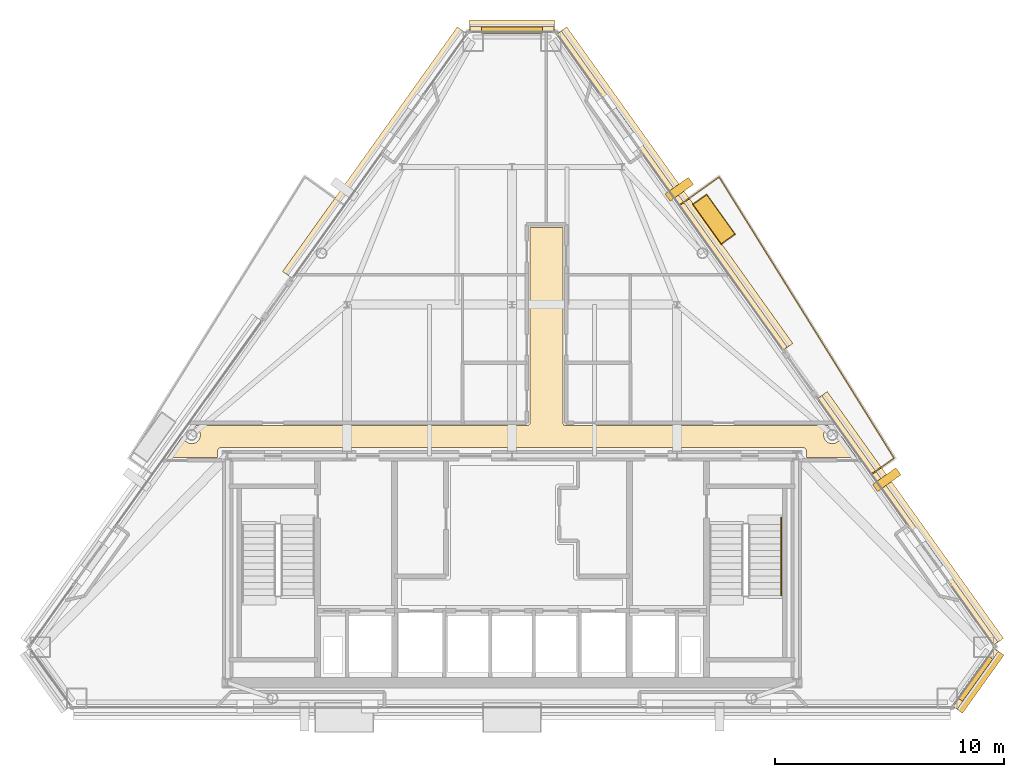
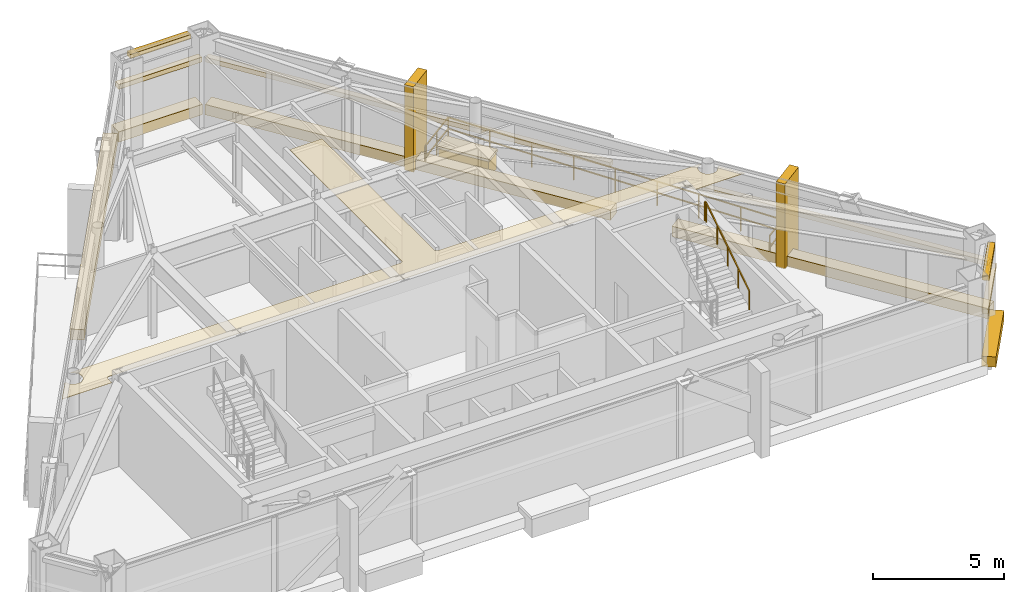
# One storey, part 12 of 12: 14 coverings, 2 railings, 2 shading devices.
"""IFC4 building model written with IfcOpenShell, lengths in metres."""

from ifc_helpers import new_model, si_unit, direction, frame, origin, origin_2d, place, context, subcontext, project, spatial, polyline, rectangle, outline, extrude, source, transform, mapped, material, layer, layer_set, type_object, type_shapes, element, save


model = new_model("IFC4")

# Units and contexts
model_context = context("Model", 3, precision=1e-05, world=origin(), true_north=direction((0.0, 1.0)))
body_context = subcontext(model_context, "Body", "Model", "MODEL_VIEW")
ifc_project = project(units=[si_unit("LENGTHUNIT", "METRE"), si_unit("AREAUNIT", "SQUARE_METRE"), si_unit("VOLUMEUNIT", "CUBIC_METRE"), si_unit("PLANEANGLEUNIT", "RADIAN"), si_unit("MASSUNIT", "GRAM", prefix="KILO")], contexts=[model_context])

# Site, building, storey
site_placement = place(None, origin())
site = spatial("IfcSite", under=ifc_project, at=site_placement, CompositionType="ELEMENT")
building_placement = place(site_placement, origin())
building = spatial("IfcBuilding", under=site, at=building_placement, Name="Talgorran Terracotta Tower", CompositionType="ELEMENT")
storey_placement = place(building_placement, frame((0.0, 0.0, 285.0)))
storey = spatial("IfcBuildingStorey", under=building, at=storey_placement, Name="L75", CompositionType="ELEMENT", Elevation=285.0)

# Coverings
ifc_material_1 = material(Name="Kiln-Fired Terracotta Ochre Ceramic", Category="masonry")
ifc_layer_1 = layer(ifc_material_1, 0.179931640625, Name="COV_BAGUETTE_TERRACOTTA_SCREEN")
ifc_layer_set_1 = layer_set([ifc_layer_1], Name="Kiln-Fired Terracotta Ochre Ceramic")
covering_type_1 = type_object("IfcCoveringType", Name="COV_BAGUETTE_TERRACOTTA_SCREEN", PredefinedType="CLADDING", material=ifc_layer_set_1)
covering_1_placement = place(storey_placement, frame((20.2119140625, -13.916748046875, 2.41015625), z_axis=(0.0, 0.0, 1.0), x_axis=(0.581256971997, 0.813720057824, 0.0)))
element("IfcCovering", 1, at=covering_1_placement, inside=storey, type_object=covering_type_1, Name="L75 Terracotta Baguette Solar Screen Assembly F2", PredefinedType="CLADDING", context=body_context, shape_type="SweptSolid", body=[
    extrude(rectangle(XDim=3.093994140625, YDim=0.260009765625, at=origin_2d()), origin(), (0.0, 0.0, 1.0), 0.219970703125),
])
covering_2_placement = place(storey_placement, frame((17.24951171875, -7.02197265625, 2.41015625), z_axis=(0.0, 0.0, 1.0), x_axis=(-0.581242769814, 0.813730202548, 0.0)))
element("IfcCovering", 2, at=covering_2_placement, inside=storey, type_object=covering_type_1, Name="L75 Terracotta Baguette Solar Screen Assembly F40", PredefinedType="CLADDING", context=body_context, shape_type="SweptSolid", body=[
    extrude(rectangle(XDim=13.206298828125, YDim=0.260009765625, at=origin_2d()), origin(), (0.0, 0.0, 1.0), 0.219970703125),
])
covering_3_placement = place(storey_placement, frame((6.974609375, 7.362548828125, 2.41015625), z_axis=(0.0, 0.0, 1.0), x_axis=(-0.581242769814, 0.813730202548, 0.0)))
element("IfcCovering", 3, at=covering_3_placement, inside=storey, type_object=covering_type_1, Name="L75 Terracotta Baguette Solar Screen Assembly F41", PredefinedType="CLADDING", context=body_context, shape_type="SweptSolid", body=[
    extrude(rectangle(XDim=16.948486328125, YDim=0.260009765625, at=origin_2d()), origin(), (0.0, 0.0, 1.0), 0.219970703125),
])
covering_4_placement = place(storey_placement, frame((0.0, 14.389404296875, 2.41015625), z_axis=(0.0, 0.0, 1.0), x_axis=(-1.0, 0.0, 0.0)))
element("IfcCovering", 4, at=covering_4_placement, inside=storey, type_object=covering_type_1, Name="L75 Terracotta Baguette Solar Screen Assembly F4", PredefinedType="CLADDING", context=body_context, shape_type="SweptSolid", body=[
    extrude(rectangle(XDim=3.66748046875, YDim=0.260009765625, at=origin_2d()), origin(), (0.0, 0.0, 1.0), 0.219970703125),
])
ifc_material_2 = material(Name="Mineral Fibre Acoustic Tile")
ifc_layer_2 = layer(ifc_material_2, 0.02490234375, Name="COV_CEIL_ACOUSTIC")
ifc_layer_set_2 = layer_set([ifc_layer_2], Name="Mineral Fibre Acoustic Tile")
covering_type_2 = type_object("IfcCoveringType", Name="COV_CEIL_ACOUSTIC", PredefinedType="CEILING", material=ifc_layer_set_2)
covering_5_placement = place(storey_placement, frame((0.0, 0.0, 3.830078125)))
element("IfcCovering", 5, at=covering_5_placement, inside=storey, type_object=covering_type_2, Name="CEIL-L75-2", PredefinedType="CEILING", context=body_context, shape_type="SweptSolid", body=[
    extrude(outline(polyline([(-15.0283203125, -4.264892578125), (-14.383544921875, -3.362060546875), (-14.32958984375, -3.400390625), (-14.326904296875, -3.413818359375), (-14.32421875, -3.42529296875), (-14.3203125, -3.436279296875), (-14.315185546875, -3.447021484375), (-14.30908203125, -3.45703125), (-14.253173828125, -3.541015625), (-14.24609375, -3.55029296875), (-14.23828125, -3.55908203125), (-14.2294921875, -3.567138671875), (-14.219970703125, -3.57421875), (-14.135986328125, -3.630126953125), (-14.1259765625, -3.635986328125), (-14.115234375, -3.64111328125), (-14.104248046875, -3.64501953125), (-14.0927734375, -3.64794921875), (-13.993896484375, -3.667724609375), (-13.982421875, -3.66943359375), (-13.970458984375, -3.669921875), (-13.958740234375, -3.66943359375), (-13.947021484375, -3.667724609375), (-13.84814453125, -3.64794921875), (-13.8369140625, -3.64501953125), (-13.82568359375, -3.64111328125), (-13.815185546875, -3.635986328125), (-13.804931640625, -3.630126953125), (-13.72119140625, -3.57421875), (-13.711669921875, -3.567138671875), (-13.702880859375, -3.55908203125), (-13.69482421875, -3.55029296875), (-13.68798828125, -3.541015625), (-13.6318359375, -3.45703125), (-13.6259765625, -3.447021484375), (-13.620849609375, -3.436279296875), (-13.616943359375, -3.42529296875), (-13.614013671875, -3.413818359375), (-13.59423828125, -3.31494140625), (-13.592529296875, -3.30322265625), (-13.592041015625, -3.29150390625), (-13.592529296875, -3.27978515625), (-13.59423828125, -3.26806640625), (-13.614013671875, -3.169189453125), (-13.616943359375, -3.15771484375), (-13.620849609375, -3.146728515625), (-13.621337890625, -3.1455078125), (-13.62060546875, -3.13671875), (-13.620849609375, -3.125), (-13.622314453125, -3.11328125), (-13.624755859375, -3.101806640625), (-13.62841796875, -3.090576171875), (-13.633056640625, -3.079833984375), (-13.638916015625, -3.069580078125), (-13.6455078125, -3.059814453125), (-13.6533203125, -3.05078125), (-13.66162109375, -3.042724609375), (-13.6708984375, -3.035400390625), (-13.881591796875, -2.885009765625), (0.65283203125, -2.884765625), (0.66455078125, -2.884033203125), (0.67626953125, -2.88232421875), (0.6875, -2.879638671875), (0.69873046875, -2.87548828125), (0.709228515625, -2.87060546875), (0.717041015625, -2.866455078125), (0.727294921875, -2.8603515625), (0.73681640625, -2.853515625), (0.74560546875, -2.845458984375), (0.75341796875, -2.836669921875), (0.760498046875, -2.8271484375), (0.7666015625, -2.81689453125), (0.7705078125, -2.809326171875), (0.775634765625, -2.798583984375), (0.779541015625, -2.78759765625), (0.782470703125, -2.776123046875), (0.7841796875, -2.7646484375), (0.78466796875, -2.7529296875), (0.784912109375, 5.764892578125), (2.215087890625, 5.764892578125), (2.215087890625, -2.75), (2.215576171875, -2.76171875), (2.21728515625, -2.773193359375), (2.22021484375, -2.78466796875), (2.22265625, -2.79296875), (2.2265625, -2.803955078125), (2.231689453125, -2.814697265625), (2.237548828125, -2.82470703125), (2.24462890625, -2.834228515625), (2.25244140625, -2.843017578125), (2.26123046875, -2.850830078125), (2.26806640625, -2.8564453125), (2.277587890625, -2.863525390625), (2.28759765625, -2.86962890625), (2.29833984375, -2.874755859375), (2.309326171875, -2.878662109375), (2.32080078125, -2.881591796875), (2.33251953125, -2.88330078125), (2.34423828125, -2.8837890625), (13.881591796875, -2.885009765625), (13.6708984375, -3.035400390625), (13.66162109375, -3.042724609375), (13.6533203125, -3.05078125), (13.6455078125, -3.059814453125), (13.638916015625, -3.069580078125), (13.633056640625, -3.079833984375), (13.62841796875, -3.090576171875), (13.624755859375, -3.101806640625), (13.622314453125, -3.11328125), (13.620849609375, -3.125), (13.62060546875, -3.13671875), (13.621337890625, -3.1455078125), (13.620849609375, -3.146728515625), (13.616943359375, -3.15771484375), (13.614013671875, -3.169189453125), (13.59423828125, -3.26806640625), (13.592529296875, -3.27978515625), (13.592041015625, -3.29150390625), (13.592529296875, -3.30322265625), (13.59423828125, -3.31494140625), (13.614013671875, -3.413818359375), (13.616943359375, -3.42529296875), (13.620849609375, -3.436279296875), (13.6259765625, -3.447021484375), (13.6318359375, -3.45703125), (13.68798828125, -3.541015625), (13.69482421875, -3.55029296875), (13.702880859375, -3.55908203125), (13.711669921875, -3.567138671875), (13.72119140625, -3.57421875), (13.804931640625, -3.630126953125), (13.815185546875, -3.635986328125), (13.82568359375, -3.64111328125), (13.8369140625, -3.64501953125), (13.84814453125, -3.64794921875), (13.947021484375, -3.667724609375), (13.958740234375, -3.66943359375), (13.970458984375, -3.669921875), (13.982421875, -3.66943359375), (13.993896484375, -3.667724609375), (14.0927734375, -3.64794921875), (14.104248046875, -3.64501953125), (14.115234375, -3.64111328125), (14.1259765625, -3.635986328125), (14.135986328125, -3.630126953125), (14.219970703125, -3.57421875), (14.2294921875, -3.567138671875), (14.23828125, -3.55908203125), (14.24609375, -3.55029296875), (14.253173828125, -3.541015625), (14.30908203125, -3.45703125), (14.315185546875, -3.447021484375), (14.3203125, -3.436279296875), (14.32421875, -3.42529296875), (14.326904296875, -3.413818359375), (14.32958984375, -3.400390625), (14.383544921875, -3.362060546875), (15.0283203125, -4.264892578125), (12.8349609375, -4.264892578125), (12.8349609375, -3.97998046875), (12.83447265625, -3.96826171875), (12.832763671875, -3.956787109375), (12.829833984375, -3.9453125), (12.827392578125, -3.93701171875), (12.823486328125, -3.926025390625), (12.818359375, -3.915283203125), (12.8125, -3.9052734375), (12.805419921875, -3.895751953125), (12.797607421875, -3.886962890625), (12.788818359375, -3.879150390625), (12.781982421875, -3.87353515625), (12.7724609375, -3.866455078125), (12.762451171875, -3.8603515625), (12.751708984375, -3.855224609375), (12.740478515625, -3.851318359375), (12.729248046875, -3.848388671875), (12.717529296875, -3.8466796875), (12.705810546875, -3.84619140625), (7.432861328125, -3.844970703125), (6.968017578125, -3.843017578125), (6.967529296875, -3.843017578125), (0.232666015625, -3.844970703125), (-0.23193359375, -3.843017578125), (-0.232421875, -3.843017578125), (-6.96728515625, -3.844970703125), (-7.431884765625, -3.843017578125), (-7.4326171875, -3.843017578125), (-12.699951171875, -3.844970703125), (-12.711669921875, -3.845703125), (-12.723388671875, -3.847412109375), (-12.734619140625, -3.85009765625), (-12.742919921875, -3.8525390625), (-12.75390625, -3.8564453125), (-12.7646484375, -3.861572265625), (-12.77490234375, -3.86767578125), (-12.7841796875, -3.87451171875), (-12.79296875, -3.882568359375), (-12.80078125, -3.89111328125), (-12.806396484375, -3.89794921875), (-12.813720703125, -3.907470703125), (-12.819580078125, -3.91748046875), (-12.82470703125, -3.927978515625), (-12.82861328125, -3.939208984375), (-12.83154296875, -3.95068359375), (-12.833251953125, -3.962158203125), (-12.833984375, -3.97412109375), (-12.834716796875, -4.264892578125), (-15.0283203125, -4.264892578125)])), origin(), (0.0, 0.0, 1.0), 0.02001953125),
])
ifc_material_3 = material(Name="Honed Limestone and Terracotta Planter", Category="masonry")
ifc_layer_3 = layer(ifc_material_3, 0.1201171875, Name="COV_PLANTER_BOX")
ifc_layer_set_3 = layer_set([ifc_layer_3], Name="Honed Limestone and Terracotta Planter")
covering_type_3 = type_object("IfcCoveringType", Name="COV_PLANTER_BOX", PredefinedType="CLADDING", material=ifc_layer_set_3)
covering_6_placement = place(storey_placement, frame((8.80908203125, 6.118896484375, -0.02001953125), z_axis=(0.0, 0.0, 1.0), x_axis=(-0.581256971997, 0.813720057824, 0.0)))
element("IfcCovering", 6, at=covering_6_placement, inside=storey, type_object=covering_type_3, Name="L75 Staggered Balcony Planter Box BAL-NE", PredefinedType="CLADDING", context=body_context, shape_type="SweptSolid", body=[
    extrude(rectangle(XDim=2.10009765625, YDim=0.719970703125, at=origin_2d()), origin(), (0.0, 0.0, 1.0), 0.860107421875),
])
ifc_material_4 = material(Name="Kiln-Fired Terracotta Planter Rim", Category="masonry")
ifc_layer_4 = layer(ifc_material_4, 0.10009765625, Name="COV_PLANTER_RIM")
ifc_layer_set_4 = layer_set([ifc_layer_4], Name="Kiln-Fired Terracotta Planter Rim")
covering_type_4 = type_object("IfcCoveringType", Name="COV_PLANTER_RIM", PredefinedType="CLADDING", material=ifc_layer_set_4)
covering_7_placement = place(storey_placement, frame((8.80908203125, 6.118896484375, 0.800048828125), z_axis=(0.0, 0.0, 1.0), x_axis=(-0.581256971997, 0.813720057824, 0.0)))
element("IfcCovering", 7, at=covering_7_placement, inside=storey, type_object=covering_type_4, Name="L75 Balcony Planter Terracotta Rim BAL-NE", PredefinedType="CLADDING", context=body_context, shape_type="SweptSolid", body=[
    extrude(rectangle(XDim=2.179931640625, YDim=0.780029296875, at=origin_2d()), origin(), (0.0, 0.0, 1.0), 0.1201171875),
])
ifc_material_5 = material(Name="Honed Limestone Cladding", Category="masonry")
ifc_layer_5 = layer(ifc_material_5, 0.094970703125, Name="COV_PORTAL_LIME")
ifc_layer_set_5 = layer_set([ifc_layer_5], Name="Honed Limestone Cladding")
covering_type_5 = type_object("IfcCoveringType", Name="COV_PORTAL_LIME", PredefinedType="CLADDING", material=ifc_layer_set_5)
covering_8_placement = place(storey_placement, frame((16.34375, -5.23779296875, -0.0498046875), z_axis=(0.0, 0.0, 1.0), x_axis=(-0.581256971997, 0.813720057824, 0.0)))
element("IfcCovering", 8, at=covering_8_placement, inside=storey, type_object=covering_type_5, Name="L75 White Striped Portal Fin F3-1", PredefinedType="CLADDING", context=body_context, shape_type="SweptSolid", body=[
    extrude(rectangle(XDim=0.3798828125, YDim=1.25, at=origin_2d()), origin(), (0.0, 0.0, 1.0), 3.969970703125),
])
ifc_material_6 = material(Name="Kiln-Fired Terracotta Cladding", Category="masonry")
ifc_layer_6 = layer(ifc_material_6, 0.090087890625, Name="COV_PORTAL_TERRA")
ifc_layer_set_6 = layer_set([ifc_layer_6], Name="Kiln-Fired Terracotta Cladding")
covering_type_6 = type_object("IfcCoveringType", Name="COV_PORTAL_TERRA", PredefinedType="CLADDING", material=ifc_layer_set_6)
covering_9_placement = place(storey_placement, frame((20.32568359375, -13.998046875, -0.0400390625), z_axis=(0.0, 0.0, 1.0), x_axis=(0.581256971997, 0.813720057824, 0.0)))
element("IfcCovering", 9, at=covering_9_placement, inside=storey, type_object=covering_type_6, Name="L75 Striped Postmodern Portal Cladding Band F2", PredefinedType="CLADDING", context=body_context, shape_type="SweptSolid", body=[
    extrude(rectangle(XDim=3.114013671875, YDim=0.56005859375, at=origin_2d()), origin(), (0.0, 0.0, 1.0), 0.47998046875),
])
covering_10_placement = place(storey_placement, frame((17.363525390625, -6.940673828125, -0.0400390625), z_axis=(0.0, 0.0, 1.0), x_axis=(-0.581242769814, 0.813730202548, 0.0)))
element("IfcCovering", 10, at=covering_10_placement, inside=storey, type_object=covering_type_6, Name="L75 Striped Postmodern Portal Cladding Band F40", PredefinedType="CLADDING", context=body_context, shape_type="SweptSolid", body=[
    extrude(rectangle(XDim=13.226318359375, YDim=0.56005859375, at=origin_2d()), origin(), (0.0, 0.0, 1.0), 0.47998046875),
])
covering_11_placement = place(storey_placement, frame((7.088623046875, 7.44384765625, -0.0400390625), z_axis=(0.0, 0.0, 1.0), x_axis=(-0.581242769814, 0.813730202548, 0.0)))
element("IfcCovering", 11, at=covering_11_placement, inside=storey, type_object=covering_type_6, Name="L75 Striped Postmodern Portal Cladding Band F41", PredefinedType="CLADDING", context=body_context, shape_type="SweptSolid", body=[
    extrude(rectangle(XDim=16.968505859375, YDim=0.56005859375, at=origin_2d()), origin(), (0.0, 0.0, 1.0), 0.47998046875),
])
covering_12_placement = place(storey_placement, frame((0.0, 14.529541015625, -0.0400390625), z_axis=(0.0, 0.0, 1.0), x_axis=(-1.0, 0.0, 0.0)))
element("IfcCovering", 12, at=covering_12_placement, inside=storey, type_object=covering_type_6, Name="L75 Striped Postmodern Portal Cladding Band F4", PredefinedType="CLADDING", context=body_context, shape_type="SweptSolid", body=[
    extrude(rectangle(XDim=3.6875, YDim=0.56005859375, at=origin_2d()), origin(), (0.0, 0.0, 1.0), 0.47998046875),
])
covering_13_placement = place(storey_placement, frame((-5.967529296875, 9.01318359375, -0.0400390625), z_axis=(0.0, 0.0, 1.0), x_axis=(-0.581242769814, -0.813730202548, 0.0)))
element("IfcCovering", 13, at=covering_13_placement, inside=storey, type_object=covering_type_6, Name="L75 Striped Postmodern Portal Cladding Band F60", PredefinedType="CLADDING", context=body_context, shape_type="SweptSolid", body=[
    extrude(rectangle(XDim=13.111083984375, YDim=0.56005859375, at=origin_2d()), origin(), (0.0, 0.0, 1.0), 0.47998046875),
])
covering_14_placement = place(storey_placement, frame((7.295166015625, 7.429931640625, -0.0498046875), z_axis=(0.0, 0.0, 1.0), x_axis=(-0.581256971997, 0.813720057824, 0.0)))
element("IfcCovering", 14, at=covering_14_placement, inside=storey, type_object=covering_type_6, Name="L75 Terracotta Striped Portal Fin F3-2", PredefinedType="CLADDING", context=body_context, shape_type="SweptSolid", body=[
    extrude(rectangle(XDim=0.3798828125, YDim=1.25, at=origin_2d()), origin(), (0.0, 0.0, 1.0), 3.969970703125),
])

# Railings
ifc_material_7 = material(Name="Laminated Glass and Stainless Steel 316", Category="steel")
railing_type_1 = type_object("IfcRailingType", Name="RL_BALCONY_1150", PredefinedType="BALUSTRADE", material=ifc_material_7)
railing_1_placement = place(storey_placement, frame((15.69921875, -4.9892578125, 0.0)))
element("IfcRailing", 15, at=railing_1_placement, inside=storey, type_object=railing_type_1, Name="RL-L75-BAL-BAL-NE", PredefinedType="BALUSTRADE", context=body_context, shape_type="SweptSolid", body=[
    extrude(rectangle(XDim=0.048095703125, YDim=0.048095703125, at=origin_2d()), frame((0.0, 0.0, 1.1259765625), z_axis=(0.813677891813, 0.581315997006, 0.0), x_axis=(-0.581315997006, 0.813677891813, 0.0)), (0.0, 0.0, 1.0), 1.187255859375),
    extrude(rectangle(XDim=0.048095703125, YDim=0.048095703125, at=origin_2d()), frame((0.0, 0.0, 0.597900390625), z_axis=(0.813677891813, 0.581315997006, 0.0), x_axis=(-0.581315997006, 0.813677891813, 0.0)), (0.0, 0.0, 1.0), 1.187255859375),
    extrude(rectangle(XDim=0.048095703125, YDim=0.048095703125, at=origin_2d()), frame((0.966064453125, 0.690185546875, 1.1259765625), z_axis=(-0.528501451736, 0.848932397493, 0.0), x_axis=(-0.848932397493, -0.528501451736, 0.0)), (0.0, 0.0, 1.0), 14.44287109375),
    extrude(rectangle(XDim=0.048095703125, YDim=0.048095703125, at=origin_2d()), frame((0.966064453125, 0.690185546875, 0.597900390625), z_axis=(-0.528501451736, 0.848932397493, 0.0), x_axis=(-0.848932397493, -0.528501451736, 0.0)), (0.0, 0.0, 1.0), 14.44287109375),
    extrude(rectangle(XDim=0.048095703125, YDim=0.048095703125, at=origin_2d()), frame((-6.6669921875, 12.951171875, 1.1259765625), z_axis=(-0.813662860896, -0.581337035461, 0.0), x_axis=(0.581337035461, -0.813662860896, 0.0)), (0.0, 0.0, 1.0), 2.102783203125),
    extrude(rectangle(XDim=0.048095703125, YDim=0.048095703125, at=origin_2d()), frame((-6.6669921875, 12.951171875, 0.597900390625), z_axis=(-0.813662860896, -0.581337035461, 0.0), x_axis=(0.581337035461, -0.813662860896, 0.0)), (0.0, 0.0, 1.0), 2.102783203125),
    extrude(rectangle(XDim=0.0419921875, YDim=0.0419921875, at=origin_2d()), origin(), (0.0, 0.0, 1.0), 1.101806640625),
    extrude(rectangle(XDim=0.0419921875, YDim=0.0419921875, at=origin_2d()), frame((0.966064453125, 0.690185546875, 0.0)), (0.0, 0.0, 1.0), 1.101806640625),
    extrude(rectangle(XDim=0.0419921875, YDim=0.0419921875, at=origin_2d()), frame((0.011962890625, 2.222900390625, 0.0)), (0.0, 0.0, 1.0), 1.101806640625),
    extrude(rectangle(XDim=0.0419921875, YDim=0.0419921875, at=origin_2d()), frame((-0.942138671875, 3.75537109375, 0.0)), (0.0, 0.0, 1.0), 1.101806640625),
    extrude(rectangle(XDim=0.0419921875, YDim=0.0419921875, at=origin_2d()), frame((-1.896240234375, 5.2880859375, 0.0)), (0.0, 0.0, 1.0), 1.101806640625),
    extrude(rectangle(XDim=0.0419921875, YDim=0.0419921875, at=origin_2d()), frame((-2.8505859375, 6.82080078125, 0.0)), (0.0, 0.0, 1.0), 1.101806640625),
    extrude(rectangle(XDim=0.0419921875, YDim=0.0419921875, at=origin_2d()), frame((-3.8046875, 8.353271484375, 0.0)), (0.0, 0.0, 1.0), 1.101806640625),
    extrude(rectangle(XDim=0.0419921875, YDim=0.0419921875, at=origin_2d()), frame((-4.7587890625, 9.885986328125, 0.0)), (0.0, 0.0, 1.0), 1.101806640625),
    extrude(rectangle(XDim=0.0419921875, YDim=0.0419921875, at=origin_2d()), frame((-5.712890625, 11.41845703125, 0.0)), (0.0, 0.0, 1.0), 1.101806640625),
    extrude(rectangle(XDim=0.0419921875, YDim=0.0419921875, at=origin_2d()), frame((-6.6669921875, 12.951171875, 0.0)), (0.0, 0.0, 1.0), 1.101806640625),
    extrude(rectangle(XDim=0.0419921875, YDim=0.0419921875, at=origin_2d()), frame((-7.5224609375, 12.33984375, 0.0)), (0.0, 0.0, 1.0), 1.101806640625),
    extrude(rectangle(XDim=0.0419921875, YDim=0.0419921875, at=origin_2d()), frame((-8.3779296875, 11.728759765625, 0.0)), (0.0, 0.0, 1.0), 1.101806640625),
])
ifc_material_8 = material(Name="Steel S355 (300PLUS)", Category="steel")
railing_type_2 = type_object("IfcRailingType", Name="RL_HANDRAIL_920", PredefinedType="HANDRAIL", material=ifc_material_8)
railing_2_placement = place(storey_placement, frame((11.75, -10.280029296875, 2.27490234375)))
element("IfcRailing", 16, at=railing_2_placement, inside=storey, type_object=railing_type_2, Name="L75 ST-02 stair handrail 2", PredefinedType="HANDRAIL", context=body_context, shape_type="SweptSolid", body=[
    extrude(rectangle(XDim=0.048095703125, YDim=0.048095703125, at=origin_2d()), frame((0.0, 0.0, 0.89599609375), z_axis=(0.0, 0.84066466721, 0.541556014928), x_axis=(-1.0, 0.0, 0.0)), (0.0, 0.0, 1.0), 3.8779296875),
    extrude(rectangle(XDim=0.048095703125, YDim=0.048095703125, at=origin_2d()), frame((0.0, 3.260009765625, 2.99609375), z_axis=(0.0, 1.0, 0.0), x_axis=(-1.0, 0.0, 0.0)), (0.0, 0.0, 1.0), 0.1201171875),
    extrude(rectangle(XDim=0.0419921875, YDim=0.0419921875, at=origin_2d()), origin(), (0.0, 0.0, 1.0), 0.871826171875),
    extrude(rectangle(XDim=0.0419921875, YDim=0.0419921875, at=origin_2d()), frame((0.0, 0.81494140625, 0.52490234375)), (0.0, 0.0, 1.0), 0.871826171875),
    extrude(rectangle(XDim=0.0419921875, YDim=0.0419921875, at=origin_2d()), frame((0.0, 1.6298828125, 1.050048828125)), (0.0, 0.0, 1.0), 0.871826171875),
    extrude(rectangle(XDim=0.0419921875, YDim=0.0419921875, at=origin_2d()), frame((0.0, 2.445068359375, 1.5751953125)), (0.0, 0.0, 1.0), 0.871826171875),
    extrude(rectangle(XDim=0.0419921875, YDim=0.0419921875, at=origin_2d()), frame((0.0, 3.260009765625, 2.10009765625)), (0.0, 0.0, 1.0), 0.871826171875),
    extrude(rectangle(XDim=0.0419921875, YDim=0.0419921875, at=origin_2d()), frame((0.0, 3.380126953125, 2.10009765625)), (0.0, 0.0, 1.0), 0.871826171875),
])

# Shading devices
ifc_material_9 = material(Name="Kiln-Fired Terracotta", Category="masonry")
ifc_layer_7 = layer(ifc_material_9, 0.280029296875, Name="SHD_SUNSHADE_TERRA")
ifc_layer_set_7 = layer_set([ifc_layer_7], Name="Kiln-Fired Terracotta")
shading_device_type = type_object("IfcShadingDeviceType", Name="SHD_SUNSHADE_TERRA", PredefinedType="AWNING", material=ifc_layer_set_7)
shared_shape_1 = source(origin(), body_context, "Body", "SweptSolid", [
    extrude(rectangle(XDim=2.263916015625, YDim=0.280029296875, at=origin_2d()), origin(), (0.0, 0.0, 1.0), 0.199951171875),
])
shading_device_1_placement = place(storey_placement, frame((20.195556640625, -13.905029296875, 3.68017578125), z_axis=(0.0, 0.0, 1.0), x_axis=(0.581256971997, 0.813720057824, 0.0)))
element("IfcShadingDevice", 17, at=shading_device_1_placement, inside=storey, type_object=shading_device_type, Name="SHD-BROW-L75-F2", PredefinedType="AWNING", context=body_context, shape_type="MappedRepresentation", body=[
    mapped(shared_shape_1, transform((0.0, 0.0, 0.0), scale=1.0)),
])
shared_shape_2 = source(origin(), body_context, "Body", "SweptSolid", [
    extrude(rectangle(XDim=2.665283203125, YDim=0.280029296875, at=origin_2d()), origin(), (0.0, 0.0, 1.0), 0.199951171875),
])
type_shapes(shading_device_type, [shared_shape_1, shared_shape_2])
shading_device_2_placement = place(storey_placement, frame((0.0, 14.369384765625, 3.68017578125), z_axis=(0.0, 0.0, 1.0), x_axis=(-1.0, 0.0, 0.0)))
element("IfcShadingDevice", 18, at=shading_device_2_placement, inside=storey, type_object=shading_device_type, Name="SHD-BROW-L75-F4", PredefinedType="AWNING", context=body_context, shape_type="MappedRepresentation", body=[
    mapped(shared_shape_2, transform((0.0, 0.0, 0.0), scale=1.0)),
])

save(model, "model.ifc")
